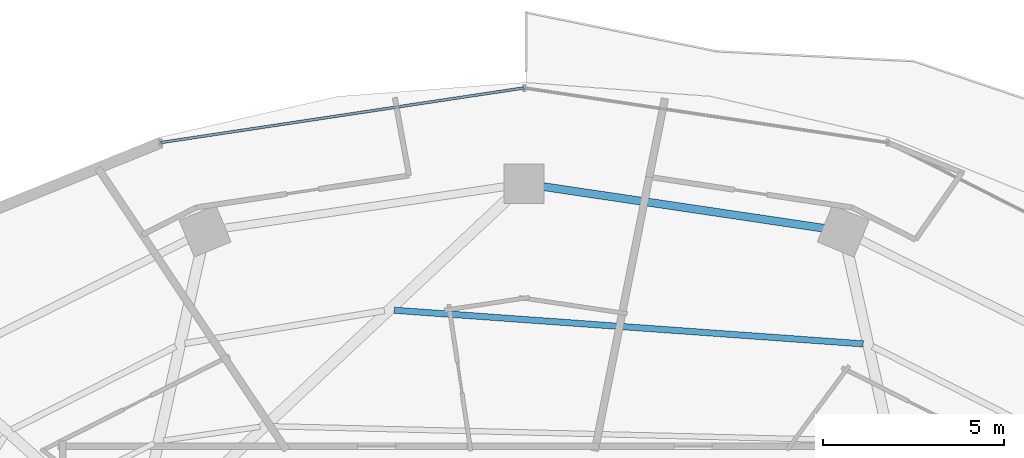
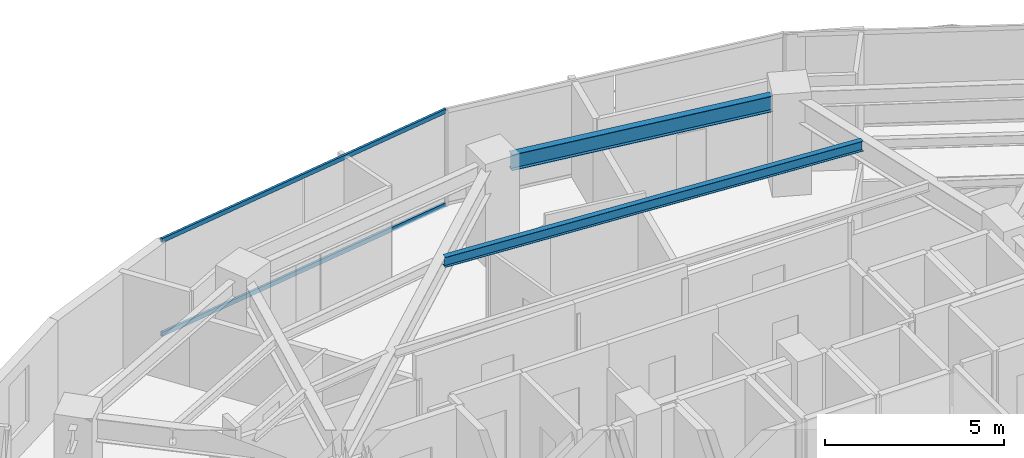
# One storey, part 19 of 30: 2 beams, 2 members, 1 element without a shape of its own.
"""IFC4 building model written with IfcOpenShell, lengths in metres."""

from ifc_helpers import new_model, si_unit, direction, frame, origin, origin_2d, place, context, subcontext, project, spatial, hollow_rectangle, i_section, extrude, material, material_profile, profile_set, type_object, element, aggregate, save


model = new_model("IFC4")

# Units and contexts
model_context = context("Model", 3, precision=1e-05, world=origin(), true_north=direction((0.0, 1.0)))
body_context = subcontext(model_context, "Body", "Model", "MODEL_VIEW")
ifc_project = project(units=[si_unit("LENGTHUNIT", "METRE"), si_unit("AREAUNIT", "SQUARE_METRE"), si_unit("VOLUMEUNIT", "CUBIC_METRE"), si_unit("PLANEANGLEUNIT", "RADIAN"), si_unit("MASSUNIT", "GRAM", prefix="KILO")], contexts=[model_context])

# Site, building, storey
site_placement = place(None, origin())
site = spatial("IfcSite", under=ifc_project, at=site_placement, CompositionType="ELEMENT")
building_placement = place(site_placement, origin())
building = spatial("IfcBuilding", under=site, at=building_placement, Name="Vorneva Point Tower", CompositionType="ELEMENT")
storey_placement = place(building_placement, frame((0.0, 0.0, 78.800048828125)))
storey = spatial("IfcBuildingStorey", under=building, at=storey_placement, Name="L20", CompositionType="ELEMENT", Elevation=78.800048828125)

# Beams
ifc_material_1 = material(Name="Steel S355", Category="steel")
ifc_material_profile_1 = material_profile(ifc_material_1, i_section(OverallWidth=0.174072265625, OverallDepth=0.345947265625, WebThickness=0.006103515625, FlangeThickness=0.009033203125, at=origin_2d()), Name="35B1")
ifc_profile_set_1 = profile_set([ifc_material_profile_1], Name="Steel S355")
beam_type_1 = type_object("IfcBeamType", Name="BM-SEC-35B1", PredefinedType="BEAM", material=ifc_profile_set_1)
beam_1_placement = place(storey_placement, frame((47.373291015625, 38.773681640625, 3.06689453125), z_axis=(-0.997434711896, 0.07158208928, 0.0), x_axis=(-0.07158208928, -0.997434711896, 0.0)))
element("IfcBeam", 1, at=beam_1_placement, inside=storey, type_object=beam_type_1, Name="L20 Secondary Floor Beam 1.04", PredefinedType="BEAM", context=body_context, shape_type="SweptSolid", body=[
    extrude(i_section(OverallWidth=0.174072265625, OverallDepth=0.345947265625, WebThickness=0.006103515625, FlangeThickness=0.009033203125, at=origin_2d()), origin(), (0.0, 0.0, 1.0), 12.998046875),
])
ifc_material_profile_2 = material_profile(ifc_material_1, i_section(OverallWidth=0.219970703125, OverallDepth=0.54296875, WebThickness=0.009521484375, FlangeThickness=0.013427734375, at=origin_2d()), Name="55B1")
ifc_profile_set_2 = profile_set([ifc_material_profile_2], Name="Steel S355")
beam_type_2 = type_object("IfcBeamType", Name="BM-SPN-55B1", PredefinedType="SPANDREL", material=ifc_profile_set_2)
beam_2_placement = place(storey_placement, frame((46.291748046875, 41.96923828125, 2.968505859375), z_axis=(-0.989164507783, 0.146811363806, 0.0), x_axis=(-0.146811363806, -0.989164507783, 0.0)))
element("IfcBeam", 2, at=beam_2_placement, inside=storey, type_object=beam_type_2, Name="L20 Perimeter Spandrel Ring Beam 04", PredefinedType="SPANDREL", context=body_context, shape_type="SweptSolid", body=[
    extrude(i_section(OverallWidth=0.219970703125, OverallDepth=0.54296875, WebThickness=0.009521484375, FlangeThickness=0.013427734375, at=origin_2d()), origin(), (0.0, 0.0, 1.0), 7.847412109375),
])

# Curtain wall, members
ifc_material_2 = material(Name="Pale anodised aluminium", Category="aluminium")
curtain_wall_type = type_object("IfcCurtainWallType", Name="CW-HTL-SYS", PredefinedType="NOTDEFINED", material=ifc_material_2)
curtain_wall_placement = place(storey_placement, origin())
curtain_wall = element("IfcCurtainWall", 3, at=curtain_wall_placement, inside=storey, type_object=curtain_wall_type, Name="L20 Unitised Curtain Wall CW-L20-R01", PredefinedType="NOTDEFINED")
ifc_material_profile_3 = material_profile(ifc_material_2, hollow_rectangle(XDim=0.074951171875, YDim=0.14990234375, WallThickness=0.00390625, at=origin_2d()), Name="AL-TRN 150x75x4")
ifc_profile_set_3 = profile_set([ifc_material_profile_3], Name="Pale anodised aluminium")
member_type = type_object("IfcMemberType", Name="CW-TRN-150", PredefinedType="USERDEFINED", material=ifc_profile_set_3)
member_1_placement = place(storey_placement, frame((38.0, 45.85009765625, 0.02001953125), z_axis=(-0.988875982167, -0.148742367512, 0.0), x_axis=(0.148742367512, -0.988875982167, 0.0)))
member_1 = element("IfcMember", 4, at=member_1_placement, type_object=member_type, Name="CW-L20-R01 Transom 04.1", ObjectType="TRANSOM", PredefinedType="USERDEFINED", context=body_context, shape_type="SweptSolid", body=[
    extrude(hollow_rectangle(XDim=0.074951171875, YDim=0.14990234375, WallThickness=0.00390625, at=origin_2d()), origin(), (0.0, 0.0, 1.0), 10.158447265625),
])
member_2_placement = place(storey_placement, frame((38.0, 45.85009765625, 3.219970703125), z_axis=(-0.988875982167, -0.148742367512, 0.0), x_axis=(0.148742367512, -0.988875982167, 0.0)))
member_2 = element("IfcMember", 5, at=member_2_placement, type_object=member_type, Name="CW-L20-R01 Transom 04.2", ObjectType="TRANSOM", PredefinedType="USERDEFINED", context=body_context, shape_type="SweptSolid", body=[
    extrude(hollow_rectangle(XDim=0.074951171875, YDim=0.14990234375, WallThickness=0.00390625, at=origin_2d()), origin(), (0.0, 0.0, 1.0), 10.158447265625),
])
aggregate(curtain_wall, [member_1, member_2])

save(model, "model.ifc")
